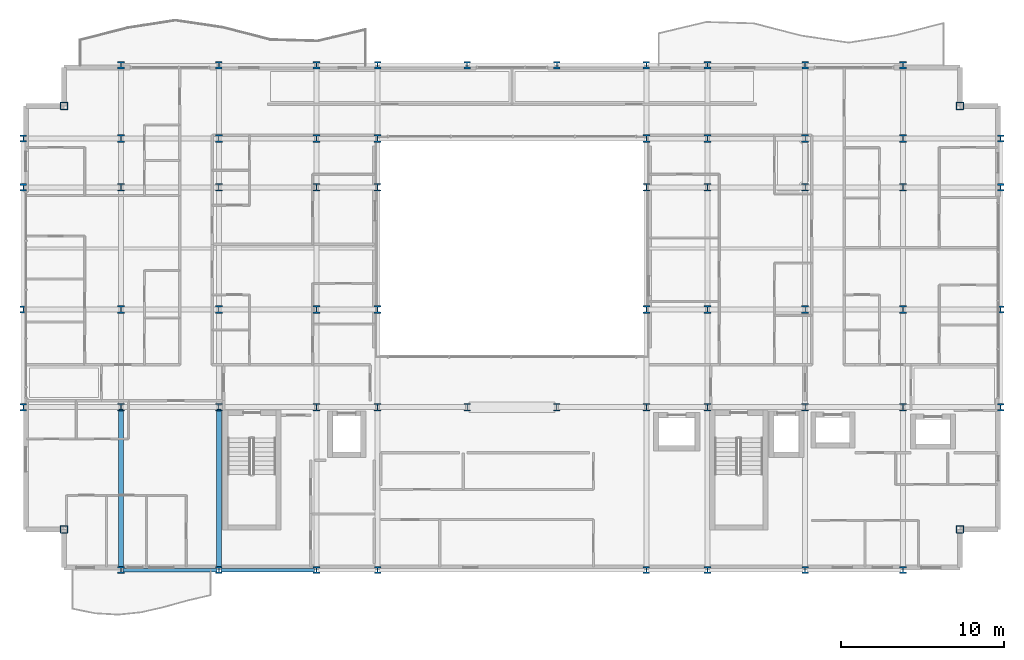
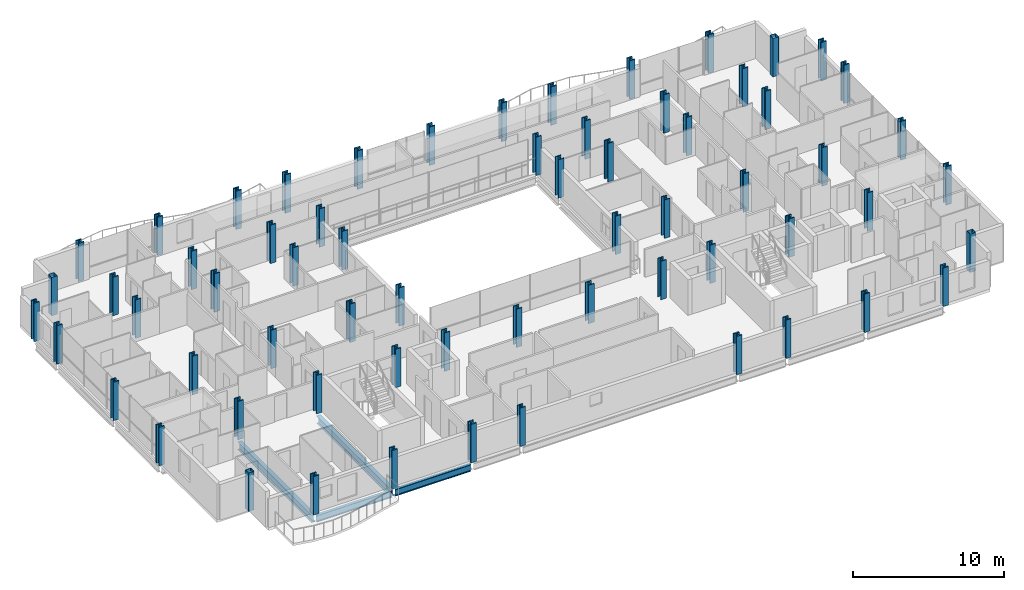
# One storey, part 1 of 41: 64 columns, 4 beams.
"""IFC4 building model written with IfcOpenShell, lengths in metres."""

from ifc_helpers import new_model, si_unit, direction, frame, origin, origin_2d, place, context, subcontext, project, spatial, hollow_rectangle, i_section, extrude, material, material_profile, profile_set, type_object, element, save


model = new_model("IFC4")

# Units and contexts
model_context = context("Model", 3, precision=1e-05, world=origin(), true_north=direction((0.0, 1.0)))
body_context = subcontext(model_context, "Body", "Model", "MODEL_VIEW")
ifc_project = project(units=[si_unit("LENGTHUNIT", "METRE"), si_unit("AREAUNIT", "SQUARE_METRE"), si_unit("VOLUMEUNIT", "CUBIC_METRE"), si_unit("PLANEANGLEUNIT", "RADIAN"), si_unit("MASSUNIT", "GRAM", prefix="KILO")], contexts=[model_context])

# Site, building, storey
site_placement = place(None, origin())
site = spatial("IfcSite", under=ifc_project, at=site_placement, CompositionType="ELEMENT")
building_placement = place(site_placement, origin())
building = spatial("IfcBuilding", under=site, at=building_placement, Name="Brevholm Reach", CompositionType="ELEMENT")
storey_placement = place(building_placement, frame((0.0, 0.0, 43.5)))
storey = spatial("IfcBuildingStorey", under=building, at=storey_placement, Name="L11", CompositionType="ELEMENT", Elevation=43.5)

# Columns
ifc_material_1 = material(Name="Structural Steel S460ML", Category="steel")
ifc_material_profile_1 = material_profile(ifc_material_1, i_section(OverallWidth=0.4140625, OverallDepth=0.444091796875, WebThickness=0.060546875, FlangeThickness=0.096923828125, FilletRadius=0.014892578125, at=origin_2d()), Name="HD 400x818")
ifc_profile_set_1 = profile_set([ifc_material_profile_1], Name="Structural Steel S460ML")
column_type_1 = type_object("IfcColumnType", Name="COL-HD2", PredefinedType="COLUMN", material=ifc_profile_set_1)
for number, where, z_axis, x_axis, name in (
    (1, (0.0, 10.0, 0.0), (0.0, 0.0, 1.0), (1.0, 0.0, 0.0), "L11 Column 01"),
    (2, (0.0, 16.0, 0.0), (0.0, 0.0, 1.0), (1.0, 0.0, 0.0), "L11 Column 02"),
    (3, (0.0, 23.5, 0.0), (0.0, 0.0, 1.0), (1.0, 0.0, 0.0), "L11 Column 03"),
    (4, (0.0, 26.5, 0.0), (0.0, 0.0, 1.0), (1.0, 0.0, 0.0), "L11 Column 04"),
    (5, (6.0, 0.0, 0.0), (0.0, 0.0, 1.0), (1.0, 0.0, 0.0), "L11 Column 07"),
    (6, (6.0, 31.0, 0.0), (0.0, 0.0, 1.0), (1.0, 0.0, 0.0), "L11 Column 12"),
    (7, (12.0, 0.0, 0.0), (0.0, 0.0, 1.0), (1.0, 0.0, 0.0), "L11 Column 13"),
    (8, (12.0, 31.0, 0.0), (0.0, 0.0, 1.0), (1.0, 0.0, 0.0), "L11 Column 18"),
    (9, (18.0, 0.0, 0.0), (0.0, 0.0, 1.0), (1.0, 0.0, 0.0), "L11 Column 19"),
    (10, (18.0, 31.0, 0.0), (0.0, 0.0, 1.0), (1.0, 0.0, 0.0), "L11 Column 24"),
    (11, (21.75, 0.0, 0.0), (0.0, 0.0, 1.0), (1.0, 0.0, 0.0), "L11 Column 25"),
    (12, (21.75, 31.0, 0.0), (0.0, 0.0, 1.0), (1.0, 0.0, 0.0), "L11 Column 30"),
    (13, (27.25, 31.0, 0.0), (0.0, 0.0, 1.0), (1.0, 0.0, 0.0), "L11 Column 32"),
    (14, (32.75, 31.0, 0.0), (0.0, 0.0, 1.0), (1.0, 0.0, 0.0), "L11 Column 34"),
    (15, (38.25, 0.0, 0.0), (0.0, 0.0, 1.0), (1.0, 0.0, 0.0), "L11 Column 35"),
    (16, (38.25, 31.0, 0.0), (0.0, 0.0, 1.0), (1.0, 0.0, 0.0), "L11 Column 40"),
    (17, (42.0, 0.0, 0.0), (0.0, 0.0, 1.0), (1.0, 0.0, 0.0), "L11 Column 41"),
    (18, (42.0, 31.0, 0.0), (0.0, 0.0, 1.0), (1.0, 0.0, 0.0), "L11 Column 46"),
    (19, (48.0, 0.0, 0.0), (0.0, 0.0, 1.0), (1.0, 0.0, 0.0), "L11 Column 47"),
    (20, (48.0, 31.0, 0.0), (0.0, 0.0, 1.0), (1.0, 0.0, 0.0), "L11 Column 52"),
    (21, (54.0, 0.0, 0.0), (0.0, 0.0, 1.0), (1.0, 0.0, 0.0), "L11 Column 53"),
    (22, (54.0, 31.0, 0.0), (0.0, 0.0, 1.0), (1.0, 0.0, 0.0), "L11 Column 58"),
    (23, (60.0, 10.0, 0.0), (0.0, 0.0, 1.0), (1.0, 0.0, 0.0), "L11 Column 61"),
    (24, (60.0, 16.0, 0.0), (0.0, 0.0, 1.0), (1.0, 0.0, 0.0), "L11 Column 62"),
    (25, (60.0, 23.5, 0.0), (0.0, 0.0, 1.0), (1.0, 0.0, 0.0), "L11 Column 63"),
    (26, (60.0, 26.5, 0.0), (0.0, 0.0, 1.0), (1.0, 0.0, 0.0), "L11 Column 64"),
):
    element("IfcColumn", number, at=place(storey_placement, frame(where, z_axis=z_axis, x_axis=x_axis)), inside=storey, type_object=column_type_1, Name=name, PredefinedType="COLUMN", context=body_context, shape_type="SweptSolid", body=[
        extrude(i_section(OverallWidth=0.4140625, OverallDepth=0.444091796875, WebThickness=0.060546875, FlangeThickness=0.096923828125, FilletRadius=0.014892578125, at=origin_2d()), origin(), (0.0, 0.0, 1.0), 3.10009765625),
    ])
ifc_material_2 = material(Name="Structural Steel S460NH", Category="steel")
ifc_material_profile_2 = material_profile(ifc_material_2, hollow_rectangle(XDim=0.449951171875, YDim=0.449951171875, WallThickness=0.02490234375, InnerFilletRadius=0.011962890625, OuterFilletRadius=0.02392578125, at=origin_2d()), Name="SHS 450x450x25")
ifc_profile_set_2 = profile_set([ifc_material_profile_2], Name="Structural Steel S460NH")
column_type_2 = type_object("IfcColumnType", Name="COL-SHS1", PredefinedType="COLUMN", material=ifc_profile_set_2)
for number, where, z_axis, x_axis, name in (
    (27, (2.5, 2.5, 0.0), (0.0, 0.0, 1.0), (1.0, 0.0, 0.0), "L11 Column 05"),
    (28, (2.5, 28.5, 0.0), (0.0, 0.0, 1.0), (1.0, 0.0, 0.0), "L11 Column 06"),
    (29, (57.5, 2.5, 0.0), (0.0, 0.0, 1.0), (1.0, 0.0, 0.0), "L11 Column 59"),
    (30, (57.5, 28.5, 0.0), (0.0, 0.0, 1.0), (1.0, 0.0, 0.0), "L11 Column 60"),
):
    element("IfcColumn", number, at=place(storey_placement, frame(where, z_axis=z_axis, x_axis=x_axis)), inside=storey, type_object=column_type_2, Name=name, PredefinedType="COLUMN", context=body_context, shape_type="SweptSolid", body=[
        extrude(hollow_rectangle(XDim=0.449951171875, YDim=0.449951171875, WallThickness=0.02490234375, InnerFilletRadius=0.011962890625, OuterFilletRadius=0.02392578125, at=origin_2d()), origin(), (0.0, 0.0, 1.0), 3.10009765625),
    ])
ifc_material_3 = material(Name="Structural Steel S460ML", Category="steel")
ifc_material_profile_3 = material_profile(ifc_material_3, i_section(OverallWidth=0.424072265625, OverallDepth=0.474609375, WebThickness=0.047607421875, FlangeThickness=0.076904296875, FilletRadius=0.01513671875, at=origin_2d()), Name="UKC 356x406x634")
ifc_profile_set_3 = profile_set([ifc_material_profile_3], Name="Structural Steel S460ML")
column_type_3 = type_object("IfcColumnType", Name="COL-UC1", PredefinedType="COLUMN", material=ifc_profile_set_3)
for number, where, z_axis, x_axis, name in (
    (31, (6.0, 10.0, 0.0), (0.0, 0.0, 1.0), (1.0, 0.0, 0.0), "L11 Column 08"),
    (32, (6.0, 16.0, 0.0), (0.0, 0.0, 1.0), (1.0, 0.0, 0.0), "L11 Column 09"),
    (33, (6.0, 23.5, 0.0), (0.0, 0.0, 1.0), (1.0, 0.0, 0.0), "L11 Column 10"),
    (34, (6.0, 26.5, 0.0), (0.0, 0.0, 1.0), (1.0, 0.0, 0.0), "L11 Column 11"),
    (35, (12.0, 10.0, 0.0), (0.0, 0.0, 1.0), (1.0, 0.0, 0.0), "L11 Column 14"),
    (36, (12.0, 16.0, 0.0), (0.0, 0.0, 1.0), (1.0, 0.0, 0.0), "L11 Column 15"),
    (37, (12.0, 23.5, 0.0), (0.0, 0.0, 1.0), (1.0, 0.0, 0.0), "L11 Column 16"),
    (38, (12.0, 26.5, 0.0), (0.0, 0.0, 1.0), (1.0, 0.0, 0.0), "L11 Column 17"),
    (39, (18.0, 10.0, 0.0), (0.0, 0.0, 1.0), (1.0, 0.0, 0.0), "L11 Column 20"),
    (40, (18.0, 16.0, 0.0), (0.0, 0.0, 1.0), (1.0, 0.0, 0.0), "L11 Column 21"),
    (41, (18.0, 23.5, 0.0), (0.0, 0.0, 1.0), (1.0, 0.0, 0.0), "L11 Column 22"),
    (42, (18.0, 26.5, 0.0), (0.0, 0.0, 1.0), (1.0, 0.0, 0.0), "L11 Column 23"),
    (43, (21.75, 10.0, 0.0), (0.0, 0.0, 1.0), (1.0, 0.0, 0.0), "L11 Column 26"),
    (44, (21.75, 16.0, 0.0), (0.0, 0.0, 1.0), (1.0, 0.0, 0.0), "L11 Column 27"),
    (45, (21.75, 23.5, 0.0), (0.0, 0.0, 1.0), (1.0, 0.0, 0.0), "L11 Column 28"),
    (46, (21.75, 26.5, 0.0), (0.0, 0.0, 1.0), (1.0, 0.0, 0.0), "L11 Column 29"),
    (47, (27.25, 10.0, 0.0), (0.0, 0.0, 1.0), (1.0, 0.0, 0.0), "L11 Column 31"),
    (48, (32.75, 10.0, 0.0), (0.0, 0.0, 1.0), (1.0, 0.0, 0.0), "L11 Column 33"),
    (49, (38.25, 10.0, 0.0), (0.0, 0.0, 1.0), (1.0, 0.0, 0.0), "L11 Column 36"),
    (50, (38.25, 16.0, 0.0), (0.0, 0.0, 1.0), (1.0, 0.0, 0.0), "L11 Column 37"),
    (51, (38.25, 23.5, 0.0), (0.0, 0.0, 1.0), (1.0, 0.0, 0.0), "L11 Column 38"),
    (52, (38.25, 26.5, 0.0), (0.0, 0.0, 1.0), (1.0, 0.0, 0.0), "L11 Column 39"),
    (53, (42.0, 10.0, 0.0), (0.0, 0.0, 1.0), (1.0, 0.0, 0.0), "L11 Column 42"),
    (54, (42.0, 16.0, 0.0), (0.0, 0.0, 1.0), (1.0, 0.0, 0.0), "L11 Column 43"),
    (55, (42.0, 23.5, 0.0), (0.0, 0.0, 1.0), (1.0, 0.0, 0.0), "L11 Column 44"),
    (56, (42.0, 26.5, 0.0), (0.0, 0.0, 1.0), (1.0, 0.0, 0.0), "L11 Column 45"),
    (57, (48.0, 10.0, 0.0), (0.0, 0.0, 1.0), (1.0, 0.0, 0.0), "L11 Column 48"),
    (58, (48.0, 16.0, 0.0), (0.0, 0.0, 1.0), (1.0, 0.0, 0.0), "L11 Column 49"),
    (59, (48.0, 23.5, 0.0), (0.0, 0.0, 1.0), (1.0, 0.0, 0.0), "L11 Column 50"),
    (60, (48.0, 26.5, 0.0), (0.0, 0.0, 1.0), (1.0, 0.0, 0.0), "L11 Column 51"),
    (61, (54.0, 10.0, 0.0), (0.0, 0.0, 1.0), (1.0, 0.0, 0.0), "L11 Column 54"),
    (62, (54.0, 16.0, 0.0), (0.0, 0.0, 1.0), (1.0, 0.0, 0.0), "L11 Column 55"),
    (63, (54.0, 23.5, 0.0), (0.0, 0.0, 1.0), (1.0, 0.0, 0.0), "L11 Column 56"),
    (64, (54.0, 26.5, 0.0), (0.0, 0.0, 1.0), (1.0, 0.0, 0.0), "L11 Column 57"),
):
    element("IfcColumn", number, at=place(storey_placement, frame(where, z_axis=z_axis, x_axis=x_axis)), inside=storey, type_object=column_type_3, Name=name, PredefinedType="COLUMN", context=body_context, shape_type="SweptSolid", body=[
        extrude(i_section(OverallWidth=0.424072265625, OverallDepth=0.474609375, WebThickness=0.047607421875, FlangeThickness=0.076904296875, FilletRadius=0.01513671875, at=origin_2d()), origin(), (0.0, 0.0, 1.0), 3.10009765625),
    ])

# Beams
ifc_material_4 = material(Name="Structural Steel S355J2", Category="steel")
ifc_material_profile_4 = material_profile(ifc_material_4, i_section(OverallWidth=0.210693359375, OverallDepth=0.53955078125, WebThickness=0.01171875, FlangeThickness=0.018798828125, FilletRadius=0.0126953125, at=origin_2d()), Name="UKB 533x210x109")
ifc_profile_set_4 = profile_set([ifc_material_profile_4], Name="Structural Steel S355J2")
beam_type_1 = type_object("IfcBeamType", Name="BM-SP539", PredefinedType="SPANDREL", material=ifc_profile_set_4)
for number, where, z_axis, x_axis, name in (
    (65, (6.1201171875, 0.0, -0.499755859375), (1.0, 0.0, 0.0), (0.0, 1.0, 0.0), "L11 SP-01B Framing Beam"),
    (66, (12.1201171875, 0.0, -0.499755859375), (1.0, 0.0, 0.0), (0.0, 1.0, 0.0), "L11 SP-01B Framing Beam"),
):
    element("IfcBeam", number, at=place(storey_placement, frame(where, z_axis=z_axis, x_axis=x_axis)), inside=storey, type_object=beam_type_1, Name=name, PredefinedType="SPANDREL", context=body_context, shape_type="SweptSolid", body=[
        extrude(i_section(OverallWidth=0.210693359375, OverallDepth=0.53955078125, WebThickness=0.01171875, FlangeThickness=0.018798828125, FilletRadius=0.0126953125, at=origin_2d()), origin(), (0.0, 0.0, 1.0), 5.759765625),
    ])
ifc_material_5 = material(Name="Structural Steel S355J2", Category="steel")
ifc_material_profile_5 = material_profile(ifc_material_5, i_section(OverallWidth=0.30712890625, OverallDepth=0.6201171875, WebThickness=0.01416015625, FlangeThickness=0.023681640625, FilletRadius=0.0166015625, at=origin_2d()), Name="UKB 610x305x179")
ifc_profile_set_5 = profile_set([ifc_material_profile_5], Name="Structural Steel S355J2")
beam_type_2 = type_object("IfcBeamType", Name="BM-UKB610H", PredefinedType="USERDEFINED", material=ifc_profile_set_5)
for number, where, z_axis, x_axis, name in (
    (67, (6.0, 0.1201171875, -0.5400390625), (0.0, 1.0, 0.0), (-1.0, 0.0, 0.0), "L11 G-06 Framing Beam"),
    (68, (12.0, 0.1201171875, -0.5400390625), (0.0, 1.0, 0.0), (-1.0, 0.0, 0.0), "L11 G-06 Framing Beam"),
):
    element("IfcBeam", number, at=place(storey_placement, frame(where, z_axis=z_axis, x_axis=x_axis)), inside=storey, type_object=beam_type_2, Name=name, ObjectType="GIRDER", PredefinedType="USERDEFINED", context=body_context, shape_type="SweptSolid", body=[
        extrude(i_section(OverallWidth=0.30712890625, OverallDepth=0.6201171875, WebThickness=0.01416015625, FlangeThickness=0.023681640625, FilletRadius=0.0166015625, at=origin_2d()), origin(), (0.0, 0.0, 1.0), 9.759765625),
    ])

save(model, "model.ifc")
